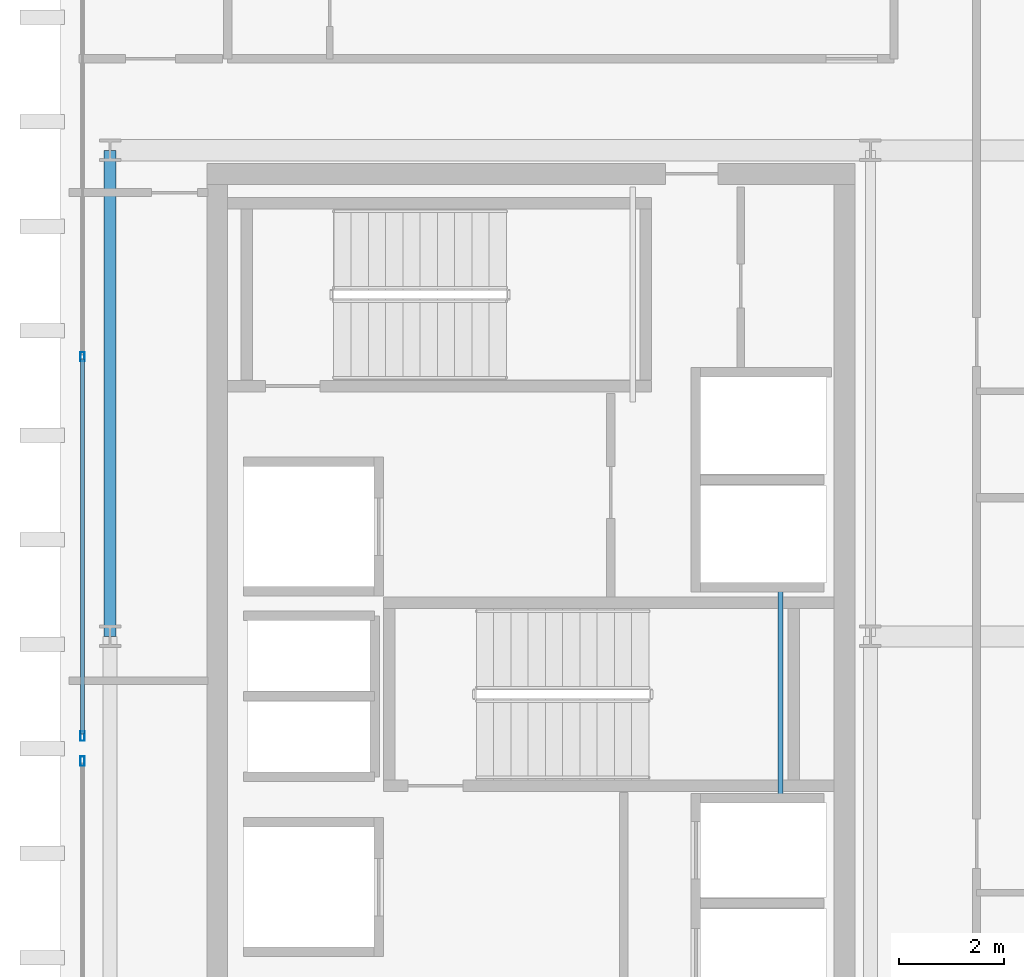
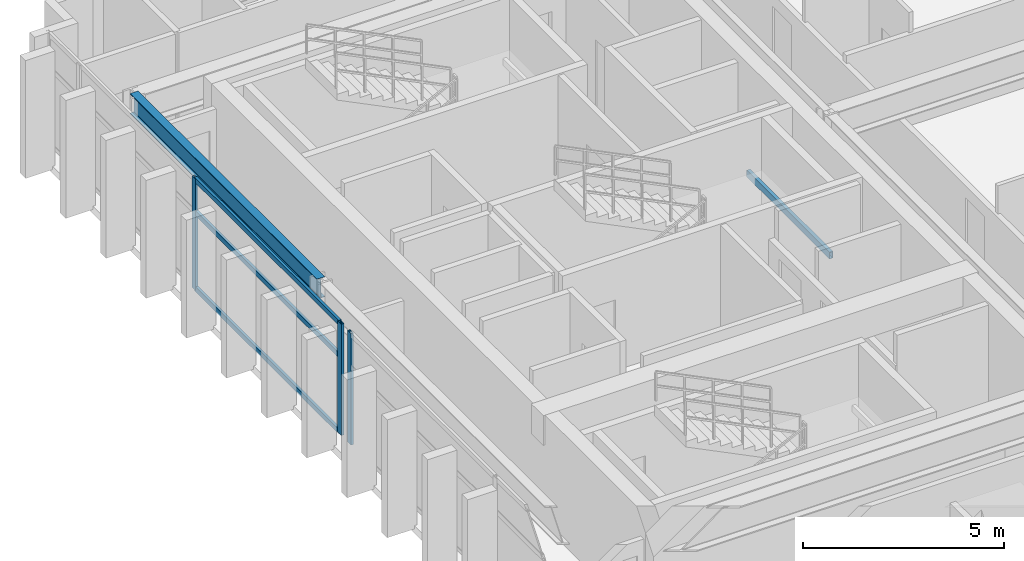
# One storey, part 6 of 15: 6 members, 2 beams, 2 elements without a shape of their own.
"""IFC4 building model written with IfcOpenShell, lengths in metres."""

import ifcopenshell
import ifcopenshell.guid

model = None  # the IFC model being written
_history = None  # IfcOwnerHistory: only IFC2X3 demands one
_inside = {}  # id of a spatial element -> (the spatial element, [elements in it])
_under = {}  # id of a project, library or spatial element -> (it, [spatial elements below it])
_declared = {}  # id of a project -> (the project, [libraries it declares])
_typed = {}  # id of a type object -> (the type object, [elements of that type])
_made_of = {}  # id of a material, layer set ... -> (it, [elements and type objects made of it])


def new_model(schema):
    """Start an empty IFC model of exactly this schema.

    Asked for "IFC4X3", IfcOpenShell would pick the latest addendum, in which some entities
    have other attributes; the version numbers below select the first issue.
    IFC2X3 requires an IfcOwnerHistory on every rooted entity: one is made here for all.
    """
    global model, _history
    if schema == "IFC4X3":
        model = ifcopenshell.file(schema_version=(4, 3, 0, 0))
    else:
        model = ifcopenshell.file(schema=schema)
    _inside.clear()
    _under.clear()
    _declared.clear()
    _typed.clear()
    _made_of.clear()
    _history = None
    if model.schema == "IFC2X3":
        org = make("IfcOrganization", Name="unknown")
        user = make(
            "IfcPersonAndOrganization",
            ThePerson=make("IfcPerson", FamilyName="unknown"),
            TheOrganization=org,
        )
        app = make(
            "IfcApplication",
            ApplicationDeveloper=org,
            Version="unknown",
            ApplicationFullName="unknown",
            ApplicationIdentifier="unknown",
        )
        _history = make(
            "IfcOwnerHistory",
            OwningUser=user,
            OwningApplication=app,
            ChangeAction="ADDED",
            CreationDate=0,
        )
    return model


def make(cls, **values):
    """One entity of the class cls with the attributes given. An attribute that is None is left unset."""
    return model.create_entity(
        cls, **{name: value for name, value in values.items() if value is not None}
    )


def rooted(cls, **values):
    """An entity with a GlobalId (a new one), such as an element, a storey or a relation."""
    return make(cls, GlobalId=ifcopenshell.guid.new(), OwnerHistory=_history, **values)


def si_unit(unit_type, name, prefix=None):
    """IfcSIUnit, for example si_unit("LENGTHUNIT", "METRE", prefix="MILLI")."""
    return make("IfcSIUnit", UnitType=unit_type, Prefix=prefix, Name=name)


def assignment(units):
    """IfcUnitAssignment: the units of a project."""
    return None if units is None else make("IfcUnitAssignment", Units=units)


def point(xyz):
    """IfcCartesianPoint."""
    return None if xyz is None else make("IfcCartesianPoint", Coordinates=xyz)


def direction(xyz):
    """IfcDirection."""
    return None if xyz is None else make("IfcDirection", DirectionRatios=xyz)


def frame(location, z_axis=None, x_axis=None):
    """IfcAxis2Placement3D, a coordinate frame: its origin and axes. An axis left out is left unset."""
    return make(
        "IfcAxis2Placement3D",
        Location=point(location),
        Axis=direction(z_axis),
        RefDirection=direction(x_axis),
    )


def frame_2d(location, x_axis=None):
    """IfcAxis2Placement2D, a coordinate frame in the plane: its origin and x axis."""
    return make(
        "IfcAxis2Placement2D", Location=point(location), RefDirection=direction(x_axis)
    )


def origin():
    """The frame at (0, 0, 0) with its axes left unset."""
    return frame((0.0, 0.0, 0.0))


def origin_2d():
    """The frame at (0, 0) in the plane with its x axis left unset."""
    return frame_2d((0.0, 0.0))


def place(relative_to, where):
    """IfcLocalPlacement: puts the frame where relative to a parent placement (None: the world)."""
    return make(
        "IfcLocalPlacement", PlacementRelTo=relative_to, RelativePlacement=where
    )


def context(
    kind, dimensions, precision=None, world=None, true_north=None, identifier=None
):
    """IfcGeometricRepresentationContext, for example the 3D "Model" context."""
    return make(
        "IfcGeometricRepresentationContext",
        ContextIdentifier=identifier,
        ContextType=kind,
        CoordinateSpaceDimension=dimensions,
        Precision=precision,
        WorldCoordinateSystem=world,
        TrueNorth=true_north,
    )


def subcontext(parent, identifier, kind, view, scale=None):
    """IfcGeometricRepresentationSubContext, for example "Body" below "Model"."""
    return make(
        "IfcGeometricRepresentationSubContext",
        ContextIdentifier=identifier,
        ContextType=kind,
        ParentContext=parent,
        TargetScale=scale,
        TargetView=view,
    )


def project(units=None, contexts=None):
    """IfcProject with its units and contexts."""
    return rooted(
        "IfcProject",
        Name="project",
        RepresentationContexts=contexts,
        UnitsInContext=assignment(units),
    )


def spatial(cls, under=None, at=None, **own):
    """A site, building, storey or space (cls), placed at a placement, below another one or the project."""
    s = rooted(cls, ObjectPlacement=at, **own)
    if under is not None:
        _under.setdefault(under.id(), (under, []))[1].append(s)
    return s


def profile(cls, at=None, kind="AREA", **sizes):
    """A parametric profile (cls). Its sizes go by their IFC names, for example OverallWidth=200.0."""
    return make(cls, ProfileType=kind, Position=at, **sizes)


def hollow_rectangle(**sizes):
    """IfcRectangleHollowProfileDef."""
    return profile("IfcRectangleHollowProfileDef", **sizes)


def i_section(**sizes):
    """IfcIShapeProfileDef."""
    return profile("IfcIShapeProfileDef", **sizes)


def extrude(swept, where, along, depth):
    """IfcExtrudedAreaSolid: the profile swept, set in the frame where, extruded along a direction by depth."""
    return make(
        "IfcExtrudedAreaSolid",
        SweptArea=swept,
        Position=where,
        ExtrudedDirection=direction(along),
        Depth=depth,
    )


def shape(context_of_items, identifier, shape_type, items):
    """IfcShapeRepresentation: the items that make up one representation, for example the "Body"."""
    return make(
        "IfcShapeRepresentation",
        ContextOfItems=context_of_items,
        RepresentationIdentifier=identifier,
        RepresentationType=shape_type,
        Items=items,
    )


def source(mapping_origin, context_of_items, identifier, shape_type, items):
    """IfcRepresentationMap: a shape defined once, which mapped items show again and again."""
    return make(
        "IfcRepresentationMap",
        MappingOrigin=mapping_origin,
        MappedRepresentation=shape(context_of_items, identifier, shape_type, items),
    )


def transform(
    local_origin,
    x_axis=None,
    y_axis=None,
    z_axis=None,
    scale=None,
    scale2=None,
    scale3=None,
    uniform=True,
):
    """IfcCartesianTransformationOperator3D, or its non-uniform kind. x_axis, y_axis, z_axis: its Axis1, 2, 3."""
    if uniform:
        return make(
            "IfcCartesianTransformationOperator3D",
            Axis1=direction(x_axis),
            Axis2=direction(y_axis),
            LocalOrigin=point(local_origin),
            Scale=scale,
            Axis3=direction(z_axis),
        )
    return make(
        "IfcCartesianTransformationOperator3DnonUniform",
        Axis1=direction(x_axis),
        Axis2=direction(y_axis),
        LocalOrigin=point(local_origin),
        Scale=scale,
        Axis3=direction(z_axis),
        Scale2=scale2,
        Scale3=scale3,
    )


def mapped(mapping_source, mapping_target):
    """IfcMappedItem: shows the shape of a source again, moved by a transform."""
    return make(
        "IfcMappedItem", MappingSource=mapping_source, MappingTarget=mapping_target
    )


def material(Name=None, Category=None):
    """IfcMaterial."""
    return make("IfcMaterial", Name=Name, Category=Category)


def layer(
    of_material, thickness, ventilated=None, Name=None, Category=None, Priority=None
):
    """IfcMaterialLayer: one layer of a wall or slab, of a material (None: an air gap)."""
    return make(
        "IfcMaterialLayer",
        Material=of_material,
        LayerThickness=thickness,
        IsVentilated=ventilated,
        Name=Name,
        Category=Category,
        Priority=Priority,
    )


def layer_set(layers, Name=None):
    """IfcMaterialLayerSet."""
    return make("IfcMaterialLayerSet", MaterialLayers=layers, LayerSetName=Name)


def material_profile(
    of_material, cross_section, Name=None, Category=None, Priority=None
):
    """IfcMaterialProfile: a cross section and its material."""
    return make(
        "IfcMaterialProfile",
        Name=Name,
        Material=of_material,
        Profile=cross_section,
        Priority=Priority,
        Category=Category,
    )


def profile_set(profiles, Name=None, composite=None):
    """IfcMaterialProfileSet."""
    return make(
        "IfcMaterialProfileSet",
        Name=Name,
        MaterialProfiles=profiles,
        CompositeProfile=composite,
    )


def made_of(thing, what):
    """Note that an element or type object is made of a material, layer set ...; save() writes the relation."""
    if what is not None:
        _made_of.setdefault(what.id(), (what, []))[1].append(thing)
    return thing


def type_object(cls, material=None, **own):
    """A type object (cls), such as IfcWallType, which elements share."""
    return made_of(rooted(cls, **own), material)


def element(
    cls,
    number,
    at=None,
    inside=None,
    cuts=None,
    type_object=None,
    material=None,
    context=None,
    identifier="Body",
    shape_type=None,
    held_by="IfcProductDefinitionShape",
    body=None,
    shapes=None,
    **own,
):
    """One element of the class cls, such as IfcWall. Its Tag is "e" and its number.

    at: its placement. inside: the storey or other place that contains it. cuts: it is an
    opening in that element (IfcRelVoidsElement). A single representation is given by context,
    identifier, shape_type and body (its items); several are given by shapes. held_by: the class
    of the entity that holds the representations. save() writes the other relations.
    """
    e = rooted(cls, Tag="e%d" % number, ObjectPlacement=at, **own)
    if body is not None:
        shapes = [shape(context, identifier, shape_type, body)]
    if shapes is not None:
        e.Representation = make(held_by, Representations=shapes)
    if inside is not None:
        _inside.setdefault(inside.id(), (inside, []))[1].append(e)
    if cuts is not None:
        rooted(
            "IfcRelVoidsElement", RelatingBuildingElement=cuts, RelatedOpeningElement=e
        )
    if type_object is not None:
        _typed.setdefault(type_object.id(), (type_object, []))[1].append(e)
    return made_of(e, material)


def aggregate(whole, parts):
    """IfcRelAggregates: a whole, such as a stair, and the parts it consists of."""
    return rooted("IfcRelAggregates", RelatingObject=whole, RelatedObjects=parts)


def save(model, path):
    """Write the relations noted so far, then the file.

    IfcRelAggregates (storeys below a building ...), IfcRelContainedInSpatialStructure (elements
    in a storey), IfcRelDefinesByType, IfcRelAssociatesMaterial and IfcRelDeclares: one each for
    every whole, place, type object, material and project.
    """
    for whole, parts in _under.values():
        aggregate(whole, parts)
    for where, things in _inside.values():
        rooted(
            "IfcRelContainedInSpatialStructure",
            RelatedElements=things,
            RelatingStructure=where,
        )
    for kind, things in _typed.values():
        rooted("IfcRelDefinesByType", RelatedObjects=things, RelatingType=kind)
    for what, things in _made_of.values():
        rooted("IfcRelAssociatesMaterial", RelatedObjects=things, RelatingMaterial=what)
    for by, libraries in _declared.values():
        rooted("IfcRelDeclares", RelatingContext=by, RelatedDefinitions=libraries)
    model.write(path)


model = new_model("IFC4")

# Units and contexts
model_context = context("Model", 3, precision=1e-05, world=origin(), true_north=direction((0.0, 1.0)))
body_context = subcontext(model_context, "Body", "Model", "MODEL_VIEW")
ifc_project = project(units=[si_unit("LENGTHUNIT", "METRE"), si_unit("AREAUNIT", "SQUARE_METRE"), si_unit("VOLUMEUNIT", "CUBIC_METRE"), si_unit("PLANEANGLEUNIT", "RADIAN"), si_unit("MASSUNIT", "GRAM", prefix="KILO")], contexts=[model_context])

# Site, building, storey
site_placement = place(None, origin())
site = spatial("IfcSite", under=ifc_project, at=site_placement, CompositionType="ELEMENT")
building_placement = place(site_placement, origin())
building = spatial("IfcBuilding", under=site, at=building_placement, Name="Ocotamira Hotel", CompositionType="ELEMENT")
storey_placement = place(building_placement, frame((0.0, 0.0, 276.0)))
storey = spatial("IfcBuildingStorey", under=building, at=storey_placement, Name="L70", CompositionType="ELEMENT", Elevation=276.0)

# Beams
ifc_material_1 = material(Name="Steel ASTM A500 Grade C", Category="steel")
ifc_material_profile_1 = material_profile(ifc_material_1, hollow_rectangle(XDim=0.10009765625, YDim=0.199951171875, WallThickness=0.008056640625, at=origin_2d()), Name="HSS200X100X8")
ifc_profile_set_1 = profile_set([ifc_material_profile_1], Name="Steel ASTM A500 Grade C")
beam_type_1 = type_object("IfcBeamType", Name="BM-STLDG-HSS200", PredefinedType="BEAM", material=ifc_profile_set_1)
shared_shape_1 = source(origin(), body_context, "Body", "SweptSolid", [
    extrude(hollow_rectangle(XDim=0.10009765625, YDim=0.199951171875, WallThickness=0.008056640625, at=origin_2d()), origin(), (0.0, 0.0, 1.0), 4.1201171875),
])
beam_1_placement = place(storey_placement, frame((21.780029296875, 24.97998046875, 1.5), z_axis=(0.0, 1.0, 0.0), x_axis=(-1.0, 0.0, 0.0)))
element("IfcBeam", 1, at=beam_1_placement, inside=storey, type_object=beam_type_1, Name="L70 Stair ST-3 Landing Bearer 1", PredefinedType="BEAM", context=body_context, shape_type="MappedRepresentation", body=[
    mapped(shared_shape_1, transform((0.0, 0.0, 0.0), scale=1.0)),
])
ifc_material_2 = material(Name="Steel ASTM A992 Grade 50", Category="steel")
ifc_material_profile_2 = material_profile(ifc_material_2, i_section(OverallWidth=0.22998046875, OverallDepth=0.616943359375, WebThickness=0.01318359375, FlangeThickness=0.022216796875, FilletRadius=0.012939453125, at=origin_2d()), Name="W24X94")
ifc_profile_set_2 = profile_set([ifc_material_profile_2], Name="Steel ASTM A992 Grade 50")
beam_type_2 = type_object("IfcBeamType", Name="BM-PRIM-W24X94", PredefinedType="BEAM", material=ifc_profile_set_2)
shared_shape_2 = source(origin(), body_context, "Body", "SweptSolid", [
    extrude(i_section(OverallWidth=0.22998046875, OverallDepth=0.616943359375, WebThickness=0.01318359375, FlangeThickness=0.022216796875, FilletRadius=0.012939453125, at=origin_2d()), origin(), (0.0, 0.0, 1.0), 9.300048828125),
])
beam_2_placement = place(storey_placement, frame((8.949951171875, 28.14990234375, 3.071533203125), z_axis=(0.0, 1.0, 0.0), x_axis=(-1.0, 0.0, 0.0)))
element("IfcBeam", 2, at=beam_2_placement, inside=storey, type_object=beam_type_2, Name="L70 Beam X8.95 Y28.15-37.45", PredefinedType="BEAM", context=body_context, shape_type="MappedRepresentation", body=[
    mapped(shared_shape_2, transform((0.0, 0.0, 0.0), scale=1.0)),
])

# Curtain wall, member
ifc_material_3 = material(Name="Anodised pale-metal aluminium and solar glass", Category="aluminium")
ifc_layer = layer(ifc_material_3, 0.2099609375)
ifc_layer_set = layer_set([ifc_layer], Name="Anodised pale-metal aluminium and solar glass")
curtain_wall_type = type_object("IfcCurtainWallType", Name="CW-SYS7-PEAK", PredefinedType="NOTDEFINED", material=ifc_layer_set)
curtain_wall_1_placement = place(storey_placement, origin())
curtain_wall_1 = element("IfcCurtainWall", 3, at=curtain_wall_1_placement, inside=storey, type_object=curtain_wall_type, Name="L70 Curtain Wall CW-7 CW-L70-W1", PredefinedType="NOTDEFINED")
ifc_material_4 = material(Name="Anodised pale-metal aluminium 6063-T6", Category="aluminium")
ifc_material_profile_3 = material_profile(ifc_material_4, hollow_rectangle(XDim=0.080078125, YDim=0.179931640625, WallThickness=0.006103515625, at=origin_2d()), Name="HSS180X80X6")
ifc_profile_set_3 = profile_set([ifc_material_profile_3], Name="Anodised pale-metal aluminium 6063-T6")
member_type_1 = type_object("IfcMemberType", Name="CWM-180X75", PredefinedType="MULLION", material=ifc_profile_set_3)
shared_shape_3 = source(origin(), body_context, "Body", "SweptSolid", [
    extrude(hollow_rectangle(XDim=0.080078125, YDim=0.179931640625, WallThickness=0.006103515625, at=origin_2d()), origin(), (0.0, 0.0, 1.0), 3.3798828125),
])
member_1_placement = place(storey_placement, frame((8.419921875, 25.760009765625, 0.0), z_axis=(0.0, 0.0, 1.0), x_axis=(-1.0, 0.0, 0.0)))
member_1 = element("IfcMember", 4, at=member_1_placement, type_object=member_type_1, Name="CW-7 mullion 3", PredefinedType="MULLION", context=body_context, shape_type="MappedRepresentation", body=[
    mapped(shared_shape_3, transform((0.0, 0.0, 0.0), scale=1.0)),
])
aggregate(curtain_wall_1, [member_1])

# Curtain wall, members
curtain_wall_2_placement = place(storey_placement, origin())
curtain_wall_2 = element("IfcCurtainWall", 5, at=curtain_wall_2_placement, inside=storey, type_object=curtain_wall_type, Name="L70 Curtain Wall CW-7 CW-L70-W2", PredefinedType="NOTDEFINED")
member_2_placement = place(storey_placement, frame((8.419921875, 26.239990234375, 0.0), z_axis=(0.0, 0.0, 1.0), x_axis=(-1.0, 0.0, 0.0)))
member_2 = element("IfcMember", 6, at=member_2_placement, type_object=member_type_1, Name="CW-7 mullion 1", PredefinedType="MULLION", context=body_context, shape_type="MappedRepresentation", body=[
    mapped(shared_shape_3, transform((0.0, 0.0, 0.0), scale=1.0)),
])
member_3_placement = place(storey_placement, frame((8.419921875, 33.5, 0.0), z_axis=(0.0, 0.0, 1.0), x_axis=(-1.0, 0.0, 0.0)))
member_3 = element("IfcMember", 7, at=member_3_placement, type_object=member_type_1, Name="CW-7 mullion 2", PredefinedType="MULLION", context=body_context, shape_type="MappedRepresentation", body=[
    mapped(shared_shape_3, transform((0.0, 0.0, 0.0), scale=1.0)),
])
ifc_material_profile_4 = material_profile(ifc_material_4, hollow_rectangle(XDim=0.074951171875, YDim=0.14990234375, WallThickness=0.006103515625, at=origin_2d()), Name="HSS150X75X6")
ifc_profile_set_4 = profile_set([ifc_material_profile_4], Name="Anodised pale-metal aluminium 6063-T6")
member_type_2 = type_object("IfcMemberType", Name="CWT-150X75", PredefinedType="USERDEFINED", material=ifc_profile_set_4)
shared_shape_4 = source(origin(), body_context, "Body", "SweptSolid", [
    extrude(hollow_rectangle(XDim=0.074951171875, YDim=0.14990234375, WallThickness=0.006103515625, at=origin_2d()), origin(), (0.0, 0.0, 1.0), 7.179931640625),
])
member_4_placement = place(storey_placement, frame((8.419921875, 26.280029296875, 0.03759765625), z_axis=(0.0, 1.0, 0.0), x_axis=(-1.0, 0.0, 0.0)))
member_4 = element("IfcMember", 8, at=member_4_placement, type_object=member_type_2, Name="CW-7 transom 1.1", ObjectType="TRANSOM", PredefinedType="USERDEFINED", context=body_context, shape_type="MappedRepresentation", body=[
    mapped(shared_shape_4, transform((0.0, 0.0, 0.0), scale=1.0)),
])
member_5_placement = place(storey_placement, frame((8.419921875, 26.280029296875, 2.35009765625), z_axis=(0.0, 1.0, 0.0), x_axis=(-1.0, 0.0, 0.0)))
member_5 = element("IfcMember", 9, at=member_5_placement, type_object=member_type_2, Name="CW-7 transom 1.2", ObjectType="TRANSOM", PredefinedType="USERDEFINED", context=body_context, shape_type="MappedRepresentation", body=[
    mapped(shared_shape_4, transform((0.0, 0.0, 0.0), scale=1.0)),
])
member_6_placement = place(storey_placement, frame((8.419921875, 26.280029296875, 3.342529296875), z_axis=(0.0, 1.0, 0.0), x_axis=(-1.0, 0.0, 0.0)))
member_6 = element("IfcMember", 10, at=member_6_placement, type_object=member_type_2, Name="CW-7 transom 1.3", ObjectType="TRANSOM", PredefinedType="USERDEFINED", context=body_context, shape_type="MappedRepresentation", body=[
    mapped(shared_shape_4, transform((0.0, 0.0, 0.0), scale=1.0)),
])
aggregate(curtain_wall_2, [member_2, member_3, member_4, member_5, member_6])

save(model, "model.ifc")
